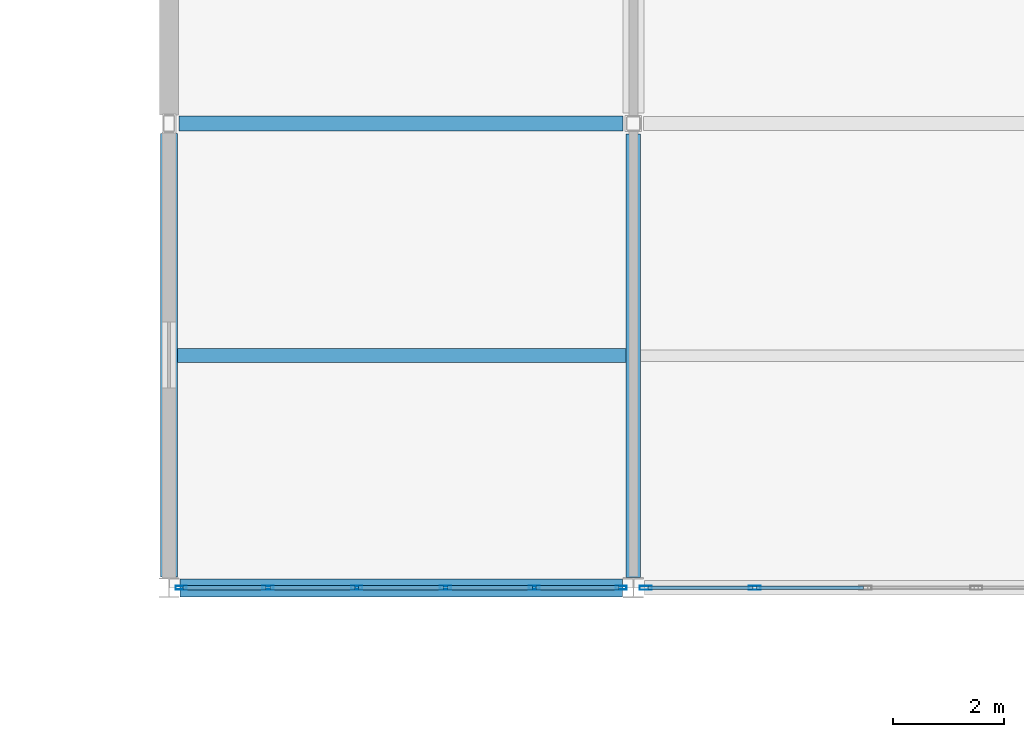
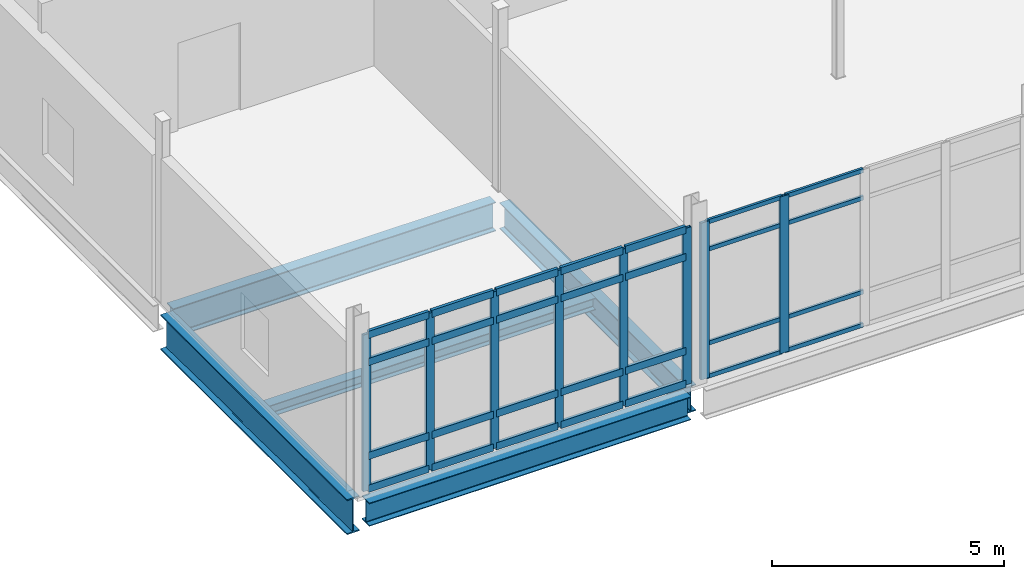
# One storey, part 16 of 72: 36 members, 5 beams, 2 elements without a shape of their own.
"""IFC4 building model written with IfcOpenShell, lengths in metres."""

from ifc_helpers import new_model, si_unit, direction, frame, origin, origin_2d, place, context, subcontext, project, spatial, hollow_rectangle, i_section, extrude, material, layer, layer_set, material_profile, profile_set, type_object, element, aggregate, save


model = new_model("IFC4")

# Units and contexts
model_context = context("Model", 3, precision=1e-05, world=origin(), true_north=direction((0.0, 1.0)))
body_context = subcontext(model_context, "Body", "Model", "MODEL_VIEW")
ifc_project = project(units=[si_unit("LENGTHUNIT", "METRE"), si_unit("AREAUNIT", "SQUARE_METRE"), si_unit("VOLUMEUNIT", "CUBIC_METRE"), si_unit("PLANEANGLEUNIT", "RADIAN"), si_unit("MASSUNIT", "GRAM", prefix="KILO")], contexts=[model_context])

# Site, building, storey
site_placement = place(None, origin())
site = spatial("IfcSite", under=ifc_project, at=site_placement, CompositionType="ELEMENT")
building_placement = place(site_placement, origin())
building = spatial("IfcBuilding", under=site, at=building_placement, Name="Calvrana Isthmian Art Gallery", CompositionType="ELEMENT")
storey_placement = place(building_placement, frame((0.0, 0.0, 15.0)))
storey = spatial("IfcBuildingStorey", under=building, at=storey_placement, Name="L03", CompositionType="ELEMENT", Elevation=15.0)

# Beams
ifc_material_1 = material(Name="Steel ASTM A992 Gr 50", Category="steel")
ifc_material_profile_1 = material_profile(ifc_material_1, i_section(OverallWidth=0.324951171875, OverallDepth=0.612060546875, WebThickness=0.0126953125, FlangeThickness=0.01904296875, FilletRadius=0.02197265625, at=origin_2d()), Name="W24X104")
ifc_profile_set_1 = profile_set([ifc_material_profile_1], Name="Steel ASTM A992 Gr 50")
beam_type_1 = type_object("IfcBeamType", Name="BM-G-W24X104", PredefinedType="BEAM", material=ifc_profile_set_1)
beam_1_placement = place(storey_placement, frame((21.799560546875, 21.60009765625, -0.551025390625), z_axis=(1.0, 0.0, 0.0), x_axis=(0.0, 1.0, 0.0)))
element("IfcBeam", 1, at=beam_1_placement, inside=storey, type_object=beam_type_1, Name="Girder X L03 04-05/D", PredefinedType="BEAM", context=body_context, shape_type="SweptSolid", body=[
    extrude(i_section(OverallWidth=0.324951171875, OverallDepth=0.612060546875, WebThickness=0.0126953125, FlangeThickness=0.01904296875, FilletRadius=0.02197265625, at=origin_2d()), origin(), (0.0, 0.0, 1.0), 8.00244140625),
])
ifc_material_profile_2 = material_profile(ifc_material_1, i_section(OverallWidth=0.257080078125, OverallDepth=0.693115234375, WebThickness=0.014404296875, FlangeThickness=0.023681640625, FilletRadius=0.02392578125, at=origin_2d()), Name="W27X114")
ifc_profile_set_2 = profile_set([ifc_material_profile_2], Name="Steel ASTM A992 Gr 50")
beam_type_2 = type_object("IfcBeamType", Name="BM-G-W27X114", PredefinedType="BEAM", material=ifc_profile_set_2)
beam_2_placement = place(storey_placement, frame((30.0, 21.79052734375, -0.591552734375), z_axis=(0.0, 1.0, 0.0), x_axis=(-1.0, 0.0, 0.0)))
element("IfcBeam", 2, at=beam_2_placement, inside=storey, type_object=beam_type_2, Name="Girder Y L03 05/D-E", PredefinedType="BEAM", context=body_context, shape_type="SweptSolid", body=[
    extrude(i_section(OverallWidth=0.257080078125, OverallDepth=0.693115234375, WebThickness=0.014404296875, FlangeThickness=0.023681640625, FilletRadius=0.02392578125, at=origin_2d()), origin(), (0.0, 0.0, 1.0), 8.02294921875),
])
ifc_material_profile_3 = material_profile(ifc_material_1, i_section(OverallWidth=0.26708984375, OverallDepth=0.761962890625, WebThickness=0.014404296875, FlangeThickness=0.021484375, FilletRadius=0.02490234375, at=origin_2d()), Name="W30X116")
ifc_profile_set_3 = profile_set([ifc_material_profile_3], Name="Steel ASTM A992 Gr 50")
beam_type_3 = type_object("IfcBeamType", Name="BM-G-W30X116", PredefinedType="BEAM", material=ifc_profile_set_3)
beam_3_placement = place(storey_placement, frame((21.783935546875, 30.0, -0.6259765625), z_axis=(1.0, 0.0, 0.0), x_axis=(0.0, 1.0, 0.0)))
element("IfcBeam", 3, at=beam_3_placement, inside=storey, type_object=beam_type_3, Name="Girder X L03 04-05/E", PredefinedType="BEAM", context=body_context, shape_type="SweptSolid", body=[
    extrude(i_section(OverallWidth=0.26708984375, OverallDepth=0.761962890625, WebThickness=0.014404296875, FlangeThickness=0.021484375, FilletRadius=0.02490234375, at=origin_2d()), origin(), (0.0, 0.0, 1.0), 8.029541015625),
])
ifc_material_profile_4 = material_profile(ifc_material_1, i_section(OverallWidth=0.306884765625, OverallDepth=0.927001953125, WebThickness=0.019287109375, FlangeThickness=0.031982421875, FilletRadius=0.028076171875, at=origin_2d()), Name="W36X194")
ifc_profile_set_4 = profile_set([ifc_material_profile_4], Name="Steel ASTM A992 Gr 50")
beam_type_4 = type_object("IfcBeamType", Name="BM-G-W36X194", PredefinedType="BEAM", material=ifc_profile_set_4)
beam_4_placement = place(storey_placement, frame((21.60009765625, 21.79296875, -0.70849609375), z_axis=(0.0, 1.0, 0.0), x_axis=(-1.0, 0.0, 0.0)))
element("IfcBeam", 4, at=beam_4_placement, inside=storey, type_object=beam_type_4, Name="Girder Y L03 04/D-E", PredefinedType="BEAM", context=body_context, shape_type="SweptSolid", body=[
    extrude(i_section(OverallWidth=0.306884765625, OverallDepth=0.927001953125, WebThickness=0.019287109375, FlangeThickness=0.031982421875, FilletRadius=0.028076171875, at=origin_2d()), origin(), (0.0, 0.0, 1.0), 8.029052734375),
])
ifc_material_profile_5 = material_profile(ifc_material_1, i_section(OverallWidth=0.25390625, OverallDepth=0.306884765625, WebThickness=0.0087890625, FlangeThickness=0.0146484375, FilletRadius=0.01611328125, at=origin_2d()), Name="W12X53")
ifc_profile_set_5 = profile_set([ifc_material_profile_5], Name="Steel ASTM A992 Gr 50")
beam_type_5 = type_object("IfcBeamType", Name="BM-J-W12X53", PredefinedType="JOIST", material=ifc_profile_set_5)
beam_5_placement = place(storey_placement, frame((21.75341796875, 25.800048828125, -0.3984375), z_axis=(1.0, 0.0, 0.0), x_axis=(0.0, 1.0, 0.0)))
element("IfcBeam", 5, at=beam_5_placement, inside=storey, type_object=beam_type_5, Name="Composite joist L03 bay 03-03", PredefinedType="JOIST", context=body_context, shape_type="SweptSolid", body=[
    extrude(i_section(OverallWidth=0.25390625, OverallDepth=0.306884765625, WebThickness=0.0087890625, FlangeThickness=0.0146484375, FilletRadius=0.01611328125, at=origin_2d()), origin(), (0.0, 0.0, 1.0), 8.1181640625),
])

# Curtain wall, members
ifc_material_2 = material(Name="Anodized bronze aluminium 6063-T6", Category="aluminium")
ifc_layer = layer(ifc_material_2, 0.179931640625, Name="Anodized bronze aluminium 6063-T6")
ifc_layer_set = layer_set([ifc_layer], Name="Anodized bronze aluminium 6063-T6")
curtain_wall_type = type_object("IfcCurtainWallType", Name="CW-STICK-080X41", PredefinedType="NOTDEFINED", material=ifc_layer_set)
curtain_wall_1_placement = place(storey_placement, origin())
curtain_wall_1 = element("IfcCurtainWall", 6, at=curtain_wall_1_placement, inside=storey, type_object=curtain_wall_type, Name="Curtain wall CW-189", PredefinedType="NOTDEFINED")
ifc_material_profile_6 = material_profile(ifc_material_2, hollow_rectangle(XDim=0.070068359375, YDim=0.199951171875, WallThickness=0.0048828125, at=origin_2d()), Name="CWM70X200")
ifc_profile_set_6 = profile_set([ifc_material_profile_6], Name="Anodized bronze aluminium 6063-T6")
member_type_1 = type_object("IfcMemberType", Name="CWM-CWM70X200", PredefinedType="MULLION", material=ifc_profile_set_6)
member_1_placement = place(storey_placement, frame((29.778564453125, 21.60009765625, 0.0), z_axis=(0.0, 0.0, 1.0), x_axis=(0.0, -1.0, 0.0)))
member_1 = element("IfcMember", 7, at=member_1_placement, type_object=member_type_1, Name="CW-189 mullion 1", PredefinedType="MULLION", context=body_context, shape_type="SweptSolid", body=[
    extrude(hollow_rectangle(XDim=0.070068359375, YDim=0.199951171875, WallThickness=0.0048828125, at=origin_2d()), origin(), (0.0, 0.0, 1.0), 4.12109375),
])
member_2_placement = place(storey_placement, frame((28.20751953125, 21.60009765625, 0.0), z_axis=(0.0, 0.0, 1.0), x_axis=(0.0, -1.0, 0.0)))
member_2 = element("IfcMember", 8, at=member_2_placement, type_object=member_type_1, Name="CW-189 mullion 2", PredefinedType="MULLION", context=body_context, shape_type="SweptSolid", body=[
    extrude(hollow_rectangle(XDim=0.070068359375, YDim=0.199951171875, WallThickness=0.0048828125, at=origin_2d()), origin(), (0.0, 0.0, 1.0), 4.12109375),
])
member_3_placement = place(storey_placement, frame((26.601806640625, 21.60009765625, 0.0), z_axis=(0.0, 0.0, 1.0), x_axis=(0.0, -1.0, 0.0)))
member_3 = element("IfcMember", 9, at=member_3_placement, type_object=member_type_1, Name="CW-189 mullion 3", PredefinedType="MULLION", context=body_context, shape_type="SweptSolid", body=[
    extrude(hollow_rectangle(XDim=0.070068359375, YDim=0.199951171875, WallThickness=0.0048828125, at=origin_2d()), origin(), (0.0, 0.0, 1.0), 4.12109375),
])
member_4_placement = place(storey_placement, frame((24.995849609375, 21.60009765625, 0.0), z_axis=(0.0, 0.0, 1.0), x_axis=(0.0, -1.0, 0.0)))
member_4 = element("IfcMember", 10, at=member_4_placement, type_object=member_type_1, Name="CW-189 mullion 4", PredefinedType="MULLION", context=body_context, shape_type="SweptSolid", body=[
    extrude(hollow_rectangle(XDim=0.070068359375, YDim=0.199951171875, WallThickness=0.0048828125, at=origin_2d()), origin(), (0.0, 0.0, 1.0), 4.12109375),
])
member_5_placement = place(storey_placement, frame((23.389892578125, 21.60009765625, 0.0), z_axis=(0.0, 0.0, 1.0), x_axis=(0.0, -1.0, 0.0)))
member_5 = element("IfcMember", 11, at=member_5_placement, type_object=member_type_1, Name="CW-189 mullion 5", PredefinedType="MULLION", context=body_context, shape_type="SweptSolid", body=[
    extrude(hollow_rectangle(XDim=0.070068359375, YDim=0.199951171875, WallThickness=0.0048828125, at=origin_2d()), origin(), (0.0, 0.0, 1.0), 4.12109375),
])
member_6_placement = place(storey_placement, frame((21.819091796875, 21.60009765625, 0.0), z_axis=(0.0, 0.0, 1.0), x_axis=(0.0, -1.0, 0.0)))
member_6 = element("IfcMember", 12, at=member_6_placement, type_object=member_type_1, Name="CW-189 mullion 6", PredefinedType="MULLION", context=body_context, shape_type="SweptSolid", body=[
    extrude(hollow_rectangle(XDim=0.070068359375, YDim=0.199951171875, WallThickness=0.0048828125, at=origin_2d()), origin(), (0.0, 0.0, 1.0), 4.12109375),
])

curtain_wall_2_placement = place(storey_placement, origin())
curtain_wall_2 = element("IfcCurtainWall", 13, at=curtain_wall_2_placement, inside=storey, type_object=curtain_wall_type, Name="Curtain wall CW-190", PredefinedType="NOTDEFINED")
ifc_material_profile_7 = material_profile(ifc_material_2, hollow_rectangle(XDim=0.074951171875, YDim=0.219970703125, WallThickness=0.0048828125, at=origin_2d()), Name="CWM75X220")
ifc_profile_set_7 = profile_set([ifc_material_profile_7], Name="Anodized bronze aluminium 6063-T6")
member_type_2 = type_object("IfcMemberType", Name="CWM-CWM75X220", PredefinedType="MULLION", material=ifc_profile_set_7)
member_7_placement = place(storey_placement, frame((32.193359375, 21.60009765625, 0.0), z_axis=(0.0, 0.0, 1.0), x_axis=(0.0, -1.0, 0.0)))
member_7 = element("IfcMember", 14, at=member_7_placement, type_object=member_type_2, Name="CW-190 mullion 4", PredefinedType="MULLION", context=body_context, shape_type="SweptSolid", body=[
    extrude(hollow_rectangle(XDim=0.074951171875, YDim=0.219970703125, WallThickness=0.0048828125, at=origin_2d()), origin(), (0.0, 0.0, 1.0), 4.12109375),
])
member_8_placement = place(storey_placement, frame((30.22412109375, 21.60009765625, 0.0), z_axis=(0.0, 0.0, 1.0), x_axis=(0.0, -1.0, 0.0)))
member_8 = element("IfcMember", 15, at=member_8_placement, type_object=member_type_2, Name="CW-190 mullion 5", PredefinedType="MULLION", context=body_context, shape_type="SweptSolid", body=[
    extrude(hollow_rectangle(XDim=0.074951171875, YDim=0.219970703125, WallThickness=0.0048828125, at=origin_2d()), origin(), (0.0, 0.0, 1.0), 4.12109375),
])
ifc_material_profile_8 = material_profile(ifc_material_2, hollow_rectangle(XDim=0.06005859375, YDim=0.110107421875, WallThickness=0.00341796875, at=origin_2d()), Name="CWT60X110")
ifc_profile_set_8 = profile_set([ifc_material_profile_8], Name="Anodized bronze aluminium 6063-T6")
member_type_3 = type_object("IfcMemberType", Name="CWT-CWT60X110", PredefinedType="USERDEFINED", material=ifc_profile_set_8)
member_9_placement = place(storey_placement, frame((34.16259765625, 21.60009765625, 0.030029296875), z_axis=(-1.0, 0.0, 0.0), x_axis=(0.0, -1.0, 0.0)))
member_9 = element("IfcMember", 16, at=member_9_placement, type_object=member_type_3, Name="CW-190 transom 3.1", ObjectType="TRANSOM", PredefinedType="USERDEFINED", context=body_context, shape_type="SweptSolid", body=[
    extrude(hollow_rectangle(XDim=0.06005859375, YDim=0.110107421875, WallThickness=0.00341796875, at=origin_2d()), origin(), (0.0, 0.0, 1.0), 1.931884765625),
])
member_10_placement = place(storey_placement, frame((34.16259765625, 21.60009765625, 0.89990234375), z_axis=(-1.0, 0.0, 0.0), x_axis=(0.0, -1.0, 0.0)))
member_10 = element("IfcMember", 17, at=member_10_placement, type_object=member_type_3, Name="CW-190 transom 3.2", ObjectType="TRANSOM", PredefinedType="USERDEFINED", context=body_context, shape_type="SweptSolid", body=[
    extrude(hollow_rectangle(XDim=0.06005859375, YDim=0.110107421875, WallThickness=0.00341796875, at=origin_2d()), origin(), (0.0, 0.0, 1.0), 1.931884765625),
])
member_11_placement = place(storey_placement, frame((34.16259765625, 21.60009765625, 3.37109375), z_axis=(-1.0, 0.0, 0.0), x_axis=(0.0, -1.0, 0.0)))
member_11 = element("IfcMember", 18, at=member_11_placement, type_object=member_type_3, Name="CW-190 transom 3.3", ObjectType="TRANSOM", PredefinedType="USERDEFINED", context=body_context, shape_type="SweptSolid", body=[
    extrude(hollow_rectangle(XDim=0.06005859375, YDim=0.110107421875, WallThickness=0.00341796875, at=origin_2d()), origin(), (0.0, 0.0, 1.0), 1.931884765625),
])
member_12_placement = place(storey_placement, frame((34.16259765625, 21.60009765625, 4.091064453125), z_axis=(-1.0, 0.0, 0.0), x_axis=(0.0, -1.0, 0.0)))
member_12 = element("IfcMember", 19, at=member_12_placement, type_object=member_type_3, Name="CW-190 transom 3.4", ObjectType="TRANSOM", PredefinedType="USERDEFINED", context=body_context, shape_type="SweptSolid", body=[
    extrude(hollow_rectangle(XDim=0.06005859375, YDim=0.110107421875, WallThickness=0.00341796875, at=origin_2d()), origin(), (0.0, 0.0, 1.0), 1.931884765625),
])
member_13_placement = place(storey_placement, frame((32.15576171875, 21.60009765625, 0.030029296875), z_axis=(-1.0, 0.0, 0.0), x_axis=(0.0, -1.0, 0.0)))
member_13 = element("IfcMember", 20, at=member_13_placement, type_object=member_type_3, Name="CW-190 transom 4.1", ObjectType="TRANSOM", PredefinedType="USERDEFINED", context=body_context, shape_type="SweptSolid", body=[
    extrude(hollow_rectangle(XDim=0.06005859375, YDim=0.110107421875, WallThickness=0.00341796875, at=origin_2d()), origin(), (0.0, 0.0, 1.0), 1.894287109375),
])
member_14_placement = place(storey_placement, frame((32.15576171875, 21.60009765625, 0.89990234375), z_axis=(-1.0, 0.0, 0.0), x_axis=(0.0, -1.0, 0.0)))
member_14 = element("IfcMember", 21, at=member_14_placement, type_object=member_type_3, Name="CW-190 transom 4.2", ObjectType="TRANSOM", PredefinedType="USERDEFINED", context=body_context, shape_type="SweptSolid", body=[
    extrude(hollow_rectangle(XDim=0.06005859375, YDim=0.110107421875, WallThickness=0.00341796875, at=origin_2d()), origin(), (0.0, 0.0, 1.0), 1.894287109375),
])
member_15_placement = place(storey_placement, frame((32.15576171875, 21.60009765625, 3.37109375), z_axis=(-1.0, 0.0, 0.0), x_axis=(0.0, -1.0, 0.0)))
member_15 = element("IfcMember", 22, at=member_15_placement, type_object=member_type_3, Name="CW-190 transom 4.3", ObjectType="TRANSOM", PredefinedType="USERDEFINED", context=body_context, shape_type="SweptSolid", body=[
    extrude(hollow_rectangle(XDim=0.06005859375, YDim=0.110107421875, WallThickness=0.00341796875, at=origin_2d()), origin(), (0.0, 0.0, 1.0), 1.894287109375),
])
member_16_placement = place(storey_placement, frame((32.15576171875, 21.60009765625, 4.091064453125), z_axis=(-1.0, 0.0, 0.0), x_axis=(0.0, -1.0, 0.0)))
member_16 = element("IfcMember", 23, at=member_16_placement, type_object=member_type_3, Name="CW-190 transom 4.4", ObjectType="TRANSOM", PredefinedType="USERDEFINED", context=body_context, shape_type="SweptSolid", body=[
    extrude(hollow_rectangle(XDim=0.06005859375, YDim=0.110107421875, WallThickness=0.00341796875, at=origin_2d()), origin(), (0.0, 0.0, 1.0), 1.894287109375),
])
aggregate(curtain_wall_2, [member_7, member_8, member_9, member_10, member_11, member_12, member_13, member_14, member_15, member_16])

# Member
ifc_material_profile_9 = material_profile(ifc_material_2, hollow_rectangle(XDim=0.074951171875, YDim=0.18994140625, WallThickness=0.00439453125, at=origin_2d()), Name="CWT75X190")
ifc_profile_set_9 = profile_set([ifc_material_profile_9], Name="Anodized bronze aluminium 6063-T6")
member_type_4 = type_object("IfcMemberType", Name="CWT-CWT75X190", PredefinedType="USERDEFINED", material=ifc_profile_set_9)
member_17_placement = place(storey_placement, frame((29.743408203125, 21.60009765625, 0.03759765625), z_axis=(-1.0, 0.0, 0.0), x_axis=(0.0, -1.0, 0.0)))
member_17 = element("IfcMember", 24, at=member_17_placement, type_object=member_type_4, Name="CW-189 transom 1.1", ObjectType="TRANSOM", PredefinedType="USERDEFINED", context=body_context, shape_type="SweptSolid", body=[
    extrude(hollow_rectangle(XDim=0.074951171875, YDim=0.18994140625, WallThickness=0.00439453125, at=origin_2d()), origin(), (0.0, 0.0, 1.0), 1.500732421875),
])

member_18_placement = place(storey_placement, frame((29.743408203125, 21.60009765625, 0.89990234375), z_axis=(-1.0, 0.0, 0.0), x_axis=(0.0, -1.0, 0.0)))
member_18 = element("IfcMember", 25, at=member_18_placement, type_object=member_type_4, Name="CW-189 transom 1.2", ObjectType="TRANSOM", PredefinedType="USERDEFINED", context=body_context, shape_type="SweptSolid", body=[
    extrude(hollow_rectangle(XDim=0.074951171875, YDim=0.18994140625, WallThickness=0.00439453125, at=origin_2d()), origin(), (0.0, 0.0, 1.0), 1.500732421875),
])

member_19_placement = place(storey_placement, frame((29.743408203125, 21.60009765625, 3.37109375), z_axis=(-1.0, 0.0, 0.0), x_axis=(0.0, -1.0, 0.0)))
member_19 = element("IfcMember", 26, at=member_19_placement, type_object=member_type_4, Name="CW-189 transom 1.3", ObjectType="TRANSOM", PredefinedType="USERDEFINED", context=body_context, shape_type="SweptSolid", body=[
    extrude(hollow_rectangle(XDim=0.074951171875, YDim=0.18994140625, WallThickness=0.00439453125, at=origin_2d()), origin(), (0.0, 0.0, 1.0), 1.500732421875),
])

member_20_placement = place(storey_placement, frame((29.743408203125, 21.60009765625, 4.08349609375), z_axis=(-1.0, 0.0, 0.0), x_axis=(0.0, -1.0, 0.0)))
member_20 = element("IfcMember", 27, at=member_20_placement, type_object=member_type_4, Name="CW-189 transom 1.4", ObjectType="TRANSOM", PredefinedType="USERDEFINED", context=body_context, shape_type="SweptSolid", body=[
    extrude(hollow_rectangle(XDim=0.074951171875, YDim=0.18994140625, WallThickness=0.00439453125, at=origin_2d()), origin(), (0.0, 0.0, 1.0), 1.500732421875),
])

member_21_placement = place(storey_placement, frame((28.172607421875, 21.60009765625, 0.03759765625), z_axis=(-1.0, 0.0, 0.0), x_axis=(0.0, -1.0, 0.0)))
member_21 = element("IfcMember", 28, at=member_21_placement, type_object=member_type_4, Name="CW-189 transom 2.1", ObjectType="TRANSOM", PredefinedType="USERDEFINED", context=body_context, shape_type="SweptSolid", body=[
    extrude(hollow_rectangle(XDim=0.074951171875, YDim=0.18994140625, WallThickness=0.00439453125, at=origin_2d()), origin(), (0.0, 0.0, 1.0), 1.535888671875),
])

member_22_placement = place(storey_placement, frame((28.172607421875, 21.60009765625, 0.89990234375), z_axis=(-1.0, 0.0, 0.0), x_axis=(0.0, -1.0, 0.0)))
member_22 = element("IfcMember", 29, at=member_22_placement, type_object=member_type_4, Name="CW-189 transom 2.2", ObjectType="TRANSOM", PredefinedType="USERDEFINED", context=body_context, shape_type="SweptSolid", body=[
    extrude(hollow_rectangle(XDim=0.074951171875, YDim=0.18994140625, WallThickness=0.00439453125, at=origin_2d()), origin(), (0.0, 0.0, 1.0), 1.535888671875),
])

member_23_placement = place(storey_placement, frame((28.172607421875, 21.60009765625, 3.37109375), z_axis=(-1.0, 0.0, 0.0), x_axis=(0.0, -1.0, 0.0)))
member_23 = element("IfcMember", 30, at=member_23_placement, type_object=member_type_4, Name="CW-189 transom 2.3", ObjectType="TRANSOM", PredefinedType="USERDEFINED", context=body_context, shape_type="SweptSolid", body=[
    extrude(hollow_rectangle(XDim=0.074951171875, YDim=0.18994140625, WallThickness=0.00439453125, at=origin_2d()), origin(), (0.0, 0.0, 1.0), 1.535888671875),
])

member_24_placement = place(storey_placement, frame((28.172607421875, 21.60009765625, 4.08349609375), z_axis=(-1.0, 0.0, 0.0), x_axis=(0.0, -1.0, 0.0)))
member_24 = element("IfcMember", 31, at=member_24_placement, type_object=member_type_4, Name="CW-189 transom 2.4", ObjectType="TRANSOM", PredefinedType="USERDEFINED", context=body_context, shape_type="SweptSolid", body=[
    extrude(hollow_rectangle(XDim=0.074951171875, YDim=0.18994140625, WallThickness=0.00439453125, at=origin_2d()), origin(), (0.0, 0.0, 1.0), 1.535888671875),
])

member_25_placement = place(storey_placement, frame((26.566650390625, 21.60009765625, 0.03759765625), z_axis=(-1.0, 0.0, 0.0), x_axis=(0.0, -1.0, 0.0)))
member_25 = element("IfcMember", 32, at=member_25_placement, type_object=member_type_4, Name="CW-189 transom 3.1", ObjectType="TRANSOM", PredefinedType="USERDEFINED", context=body_context, shape_type="SweptSolid", body=[
    extrude(hollow_rectangle(XDim=0.074951171875, YDim=0.18994140625, WallThickness=0.00439453125, at=origin_2d()), origin(), (0.0, 0.0, 1.0), 1.535888671875),
])

member_26_placement = place(storey_placement, frame((26.566650390625, 21.60009765625, 0.89990234375), z_axis=(-1.0, 0.0, 0.0), x_axis=(0.0, -1.0, 0.0)))
member_26 = element("IfcMember", 33, at=member_26_placement, type_object=member_type_4, Name="CW-189 transom 3.2", ObjectType="TRANSOM", PredefinedType="USERDEFINED", context=body_context, shape_type="SweptSolid", body=[
    extrude(hollow_rectangle(XDim=0.074951171875, YDim=0.18994140625, WallThickness=0.00439453125, at=origin_2d()), origin(), (0.0, 0.0, 1.0), 1.535888671875),
])

member_27_placement = place(storey_placement, frame((26.566650390625, 21.60009765625, 3.37109375), z_axis=(-1.0, 0.0, 0.0), x_axis=(0.0, -1.0, 0.0)))
member_27 = element("IfcMember", 34, at=member_27_placement, type_object=member_type_4, Name="CW-189 transom 3.3", ObjectType="TRANSOM", PredefinedType="USERDEFINED", context=body_context, shape_type="SweptSolid", body=[
    extrude(hollow_rectangle(XDim=0.074951171875, YDim=0.18994140625, WallThickness=0.00439453125, at=origin_2d()), origin(), (0.0, 0.0, 1.0), 1.535888671875),
])

member_28_placement = place(storey_placement, frame((26.566650390625, 21.60009765625, 4.08349609375), z_axis=(-1.0, 0.0, 0.0), x_axis=(0.0, -1.0, 0.0)))
member_28 = element("IfcMember", 35, at=member_28_placement, type_object=member_type_4, Name="CW-189 transom 3.4", ObjectType="TRANSOM", PredefinedType="USERDEFINED", context=body_context, shape_type="SweptSolid", body=[
    extrude(hollow_rectangle(XDim=0.074951171875, YDim=0.18994140625, WallThickness=0.00439453125, at=origin_2d()), origin(), (0.0, 0.0, 1.0), 1.535888671875),
])

member_29_placement = place(storey_placement, frame((24.960693359375, 21.60009765625, 0.03759765625), z_axis=(-1.0, 0.0, 0.0), x_axis=(0.0, -1.0, 0.0)))
member_29 = element("IfcMember", 36, at=member_29_placement, type_object=member_type_4, Name="CW-189 transom 4.1", ObjectType="TRANSOM", PredefinedType="USERDEFINED", context=body_context, shape_type="SweptSolid", body=[
    extrude(hollow_rectangle(XDim=0.074951171875, YDim=0.18994140625, WallThickness=0.00439453125, at=origin_2d()), origin(), (0.0, 0.0, 1.0), 1.535888671875),
])

member_30_placement = place(storey_placement, frame((24.960693359375, 21.60009765625, 0.89990234375), z_axis=(-1.0, 0.0, 0.0), x_axis=(0.0, -1.0, 0.0)))
member_30 = element("IfcMember", 37, at=member_30_placement, type_object=member_type_4, Name="CW-189 transom 4.2", ObjectType="TRANSOM", PredefinedType="USERDEFINED", context=body_context, shape_type="SweptSolid", body=[
    extrude(hollow_rectangle(XDim=0.074951171875, YDim=0.18994140625, WallThickness=0.00439453125, at=origin_2d()), origin(), (0.0, 0.0, 1.0), 1.535888671875),
])

member_31_placement = place(storey_placement, frame((24.960693359375, 21.60009765625, 3.37109375), z_axis=(-1.0, 0.0, 0.0), x_axis=(0.0, -1.0, 0.0)))
member_31 = element("IfcMember", 38, at=member_31_placement, type_object=member_type_4, Name="CW-189 transom 4.3", ObjectType="TRANSOM", PredefinedType="USERDEFINED", context=body_context, shape_type="SweptSolid", body=[
    extrude(hollow_rectangle(XDim=0.074951171875, YDim=0.18994140625, WallThickness=0.00439453125, at=origin_2d()), origin(), (0.0, 0.0, 1.0), 1.535888671875),
])

member_32_placement = place(storey_placement, frame((24.960693359375, 21.60009765625, 4.08349609375), z_axis=(-1.0, 0.0, 0.0), x_axis=(0.0, -1.0, 0.0)))
member_32 = element("IfcMember", 39, at=member_32_placement, type_object=member_type_4, Name="CW-189 transom 4.4", ObjectType="TRANSOM", PredefinedType="USERDEFINED", context=body_context, shape_type="SweptSolid", body=[
    extrude(hollow_rectangle(XDim=0.074951171875, YDim=0.18994140625, WallThickness=0.00439453125, at=origin_2d()), origin(), (0.0, 0.0, 1.0), 1.535888671875),
])

member_33_placement = place(storey_placement, frame((23.35498046875, 21.60009765625, 0.03759765625), z_axis=(-1.0, 0.0, 0.0), x_axis=(0.0, -1.0, 0.0)))
member_33 = element("IfcMember", 40, at=member_33_placement, type_object=member_type_4, Name="CW-189 transom 5.1", ObjectType="TRANSOM", PredefinedType="USERDEFINED", context=body_context, shape_type="SweptSolid", body=[
    extrude(hollow_rectangle(XDim=0.074951171875, YDim=0.18994140625, WallThickness=0.00439453125, at=origin_2d()), origin(), (0.0, 0.0, 1.0), 1.5009765625),
])

member_34_placement = place(storey_placement, frame((23.35498046875, 21.60009765625, 0.89990234375), z_axis=(-1.0, 0.0, 0.0), x_axis=(0.0, -1.0, 0.0)))
member_34 = element("IfcMember", 41, at=member_34_placement, type_object=member_type_4, Name="CW-189 transom 5.2", ObjectType="TRANSOM", PredefinedType="USERDEFINED", context=body_context, shape_type="SweptSolid", body=[
    extrude(hollow_rectangle(XDim=0.074951171875, YDim=0.18994140625, WallThickness=0.00439453125, at=origin_2d()), origin(), (0.0, 0.0, 1.0), 1.5009765625),
])

member_35_placement = place(storey_placement, frame((23.35498046875, 21.60009765625, 3.37109375), z_axis=(-1.0, 0.0, 0.0), x_axis=(0.0, -1.0, 0.0)))
member_35 = element("IfcMember", 42, at=member_35_placement, type_object=member_type_4, Name="CW-189 transom 5.3", ObjectType="TRANSOM", PredefinedType="USERDEFINED", context=body_context, shape_type="SweptSolid", body=[
    extrude(hollow_rectangle(XDim=0.074951171875, YDim=0.18994140625, WallThickness=0.00439453125, at=origin_2d()), origin(), (0.0, 0.0, 1.0), 1.5009765625),
])

member_36_placement = place(storey_placement, frame((23.35498046875, 21.60009765625, 4.08349609375), z_axis=(-1.0, 0.0, 0.0), x_axis=(0.0, -1.0, 0.0)))
member_36 = element("IfcMember", 43, at=member_36_placement, type_object=member_type_4, Name="CW-189 transom 5.4", ObjectType="TRANSOM", PredefinedType="USERDEFINED", context=body_context, shape_type="SweptSolid", body=[
    extrude(hollow_rectangle(XDim=0.074951171875, YDim=0.18994140625, WallThickness=0.00439453125, at=origin_2d()), origin(), (0.0, 0.0, 1.0), 1.5009765625),
])

aggregate(curtain_wall_1, [member_1, member_2, member_3, member_4, member_5, member_6, member_17, member_18, member_19, member_20, member_21, member_22, member_23, member_24, member_25, member_26, member_27, member_28, member_29, member_30, member_31, member_32, member_33, member_34, member_35, member_36])

save(model, "model.ifc")
